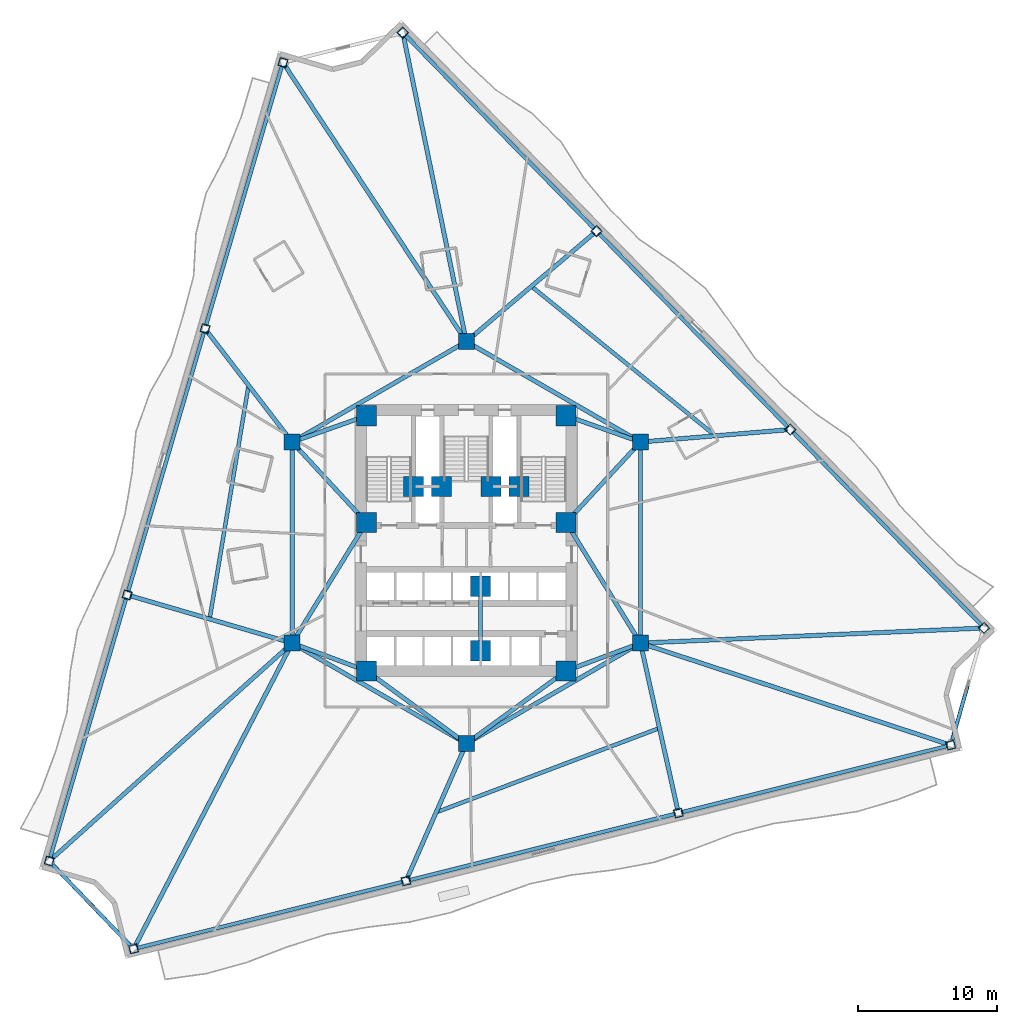
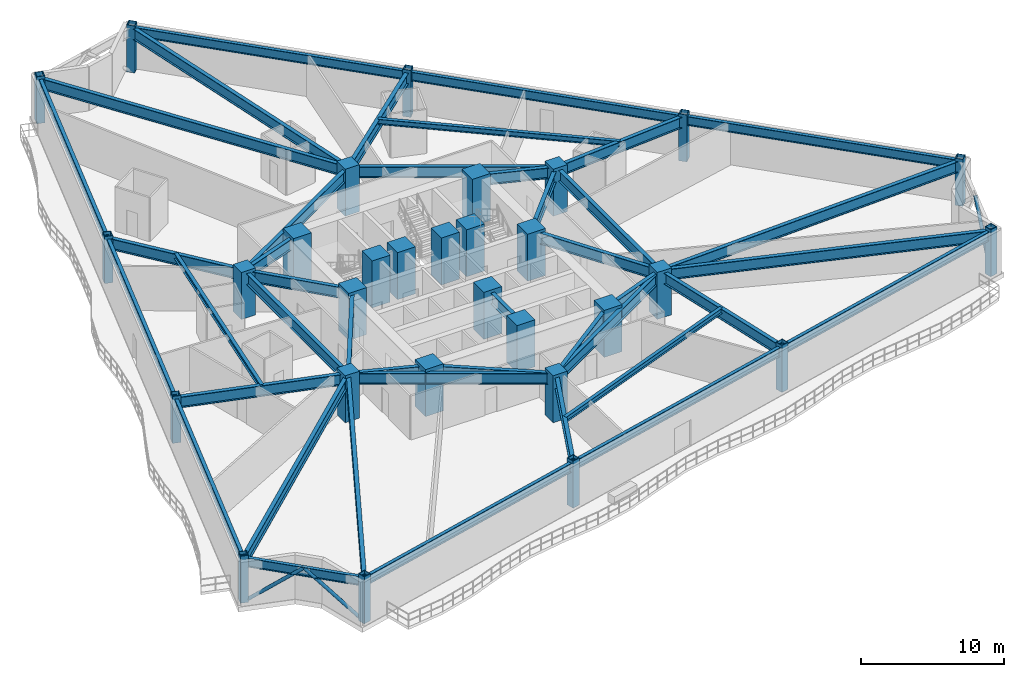
# One storey, part 1 of 13: 42 beams, 30 columns, 3 members.
"""IFC4 building model written with IfcOpenShell, lengths in metres."""

from ifc_helpers import new_model, si_unit, direction, frame, origin, origin_2d, place, context, subcontext, project, spatial, rectangle, hollow_rectangle, hollow_circle, i_section, extrude, material, material_profile, profile_set, type_object, element, save


model = new_model("IFC4")

# Units and contexts
model_context = context("Model", 3, precision=1e-05, world=origin(), true_north=direction((0.0, 1.0)))
body_context = subcontext(model_context, "Body", "Model", "MODEL_VIEW")
ifc_project = project(units=[si_unit("LENGTHUNIT", "METRE"), si_unit("AREAUNIT", "SQUARE_METRE"), si_unit("VOLUMEUNIT", "CUBIC_METRE"), si_unit("PLANEANGLEUNIT", "RADIAN"), si_unit("MASSUNIT", "GRAM", prefix="KILO")], contexts=[model_context])

# Site, building, storey
site_placement = place(None, origin())
site = spatial("IfcSite", under=ifc_project, at=site_placement, CompositionType="ELEMENT")
building_placement = place(site_placement, origin())
building = spatial("IfcBuilding", under=site, at=building_placement, Name="Apsidion Concourse Tower", CompositionType="ELEMENT")
storey_placement = place(building_placement, frame((0.0, 0.0, 95.0)))
storey = spatial("IfcBuildingStorey", under=building, at=storey_placement, Name="L21", CompositionType="ELEMENT", Elevation=95.0)

# Columns
ifc_material_1 = material(Name="Structural steel ASTM A572 Grade 50", Category="steel")
ifc_material_profile_1 = material_profile(ifc_material_1, hollow_rectangle(XDim=0.60009765625, YDim=0.60009765625, WallThickness=0.0400390625, at=origin_2d()), Name="BOX600X600X40")
ifc_profile_set_1 = profile_set([ifc_material_profile_1], Name="Structural steel ASTM A572 Grade 50")
column_type_1 = type_object("IfcColumnType", Name="COL-BOX-600", PredefinedType="COLUMN", material=ifc_profile_set_1)
for number, where, z_axis, x_axis, name in (
    (1, (-13.221435546875, 34.61669921875, 0.0), (0.0, 0.0, 1.0), (0.28083422227, 0.959756291775, 0.0), "L21 Rotated Perimeter Column PC01"),
    (2, (-18.839111328125, 15.422119140625, 0.0), (0.0, 0.0, 1.0), (0.28083422227, 0.959756291775, 0.0), "L21 Rotated Perimeter Column PC02"),
    (3, (-24.45703125, -3.772705078125, 0.0), (0.0, 0.0, 1.0), (0.28083422227, 0.959756291775, 0.0), "L21 Rotated Perimeter Column PC03"),
    (4, (-30.074951171875, -22.96728515625, 0.0), (0.0, 0.0, 1.0), (0.28083422227, 0.959756291775, 0.0), "L21 Rotated Perimeter Column PC04"),
    (5, (-23.9912109375, -29.302001953125, 0.0), (0.0, 0.0, 1.0), (0.970295726276, 0.2419218956, 0.0), "L21 Rotated Perimeter Column PC05"),
    (6, (-4.34765625, -24.404296875, 0.0), (0.0, 0.0, 1.0), (0.970295726276, 0.2419218956, 0.0), "L21 Rotated Perimeter Column PC06"),
    (7, (15.2958984375, -19.506591796875, 0.0), (0.0, 0.0, 1.0), (0.970295726276, 0.2419218956, 0.0), "L21 Rotated Perimeter Column PC07"),
    (8, (34.939208984375, -14.60888671875, 0.0), (0.0, 0.0, 1.0), (0.970295726276, 0.2419218956, 0.0), "L21 Rotated Perimeter Column PC08"),
    (9, (37.337158203125, -6.15966796875, 0.0), (0.0, 0.0, 1.0), (-0.698540186739, 0.715570826341, 0.0), "L21 Rotated Perimeter Column PC09"),
    (10, (23.365478515625, 8.15087890625, 0.0), (0.0, 0.0, 1.0), (-0.698540186739, 0.715570826341, 0.0), "L21 Rotated Perimeter Column PC10"),
    (11, (9.393798828125, 22.461181640625, 0.0), (0.0, 0.0, 1.0), (-0.698540186739, 0.715570826341, 0.0), "L21 Rotated Perimeter Column PC11"),
    (12, (-4.57763671875, 36.771728515625, 0.0), (0.0, 0.0, 1.0), (-0.698540186739, 0.715570826341, 0.0), "L21 Rotated Perimeter Column PC12"),
):
    element("IfcColumn", number, at=place(storey_placement, frame(where, z_axis=z_axis, x_axis=x_axis)), inside=storey, type_object=column_type_1, Name=name, PredefinedType="COLUMN", context=body_context, shape_type="SweptSolid", body=[
        extrude(hollow_rectangle(XDim=0.60009765625, YDim=0.60009765625, WallThickness=0.0400390625, at=origin_2d()), origin(), (0.0, 0.0, 1.0), 4.0),
    ])
ifc_material_2 = material(Name="Concrete C50/60", Category="concrete")
ifc_material_profile_2 = material_profile(ifc_material_2, rectangle(XDim=1.14990234375, YDim=1.14990234375, at=origin_2d()), Name="RC 1150x1150")
ifc_profile_set_2 = profile_set([ifc_material_profile_2], Name="Concrete C50/60")
column_type_2 = type_object("IfcColumnType", Name="COL-RC-1150", PredefinedType="COLUMN", material=ifc_profile_set_2)
for number, where, z_axis, x_axis, name in (
    (13, (-12.56005859375, -7.25, 0.0), (0.0, 0.0, 1.0), (1.0, 0.0, 0.0), "L21 Interior Spine Column IC1"),
    (14, (12.56005859375, -7.25, 0.0), (0.0, 0.0, 1.0), (1.0, 0.0, 0.0), "L21 Interior Spine Column IC2"),
    (15, (12.56005859375, 7.25, 0.0), (0.0, 0.0, 1.0), (1.0, 0.0, 0.0), "L21 Interior Spine Column IC3"),
    (16, (0.0, 14.5, 0.0), (0.0, 0.0, 1.0), (1.0, 0.0, 0.0), "L21 Interior Spine Column IC4"),
    (17, (-12.56005859375, 7.25, 0.0), (0.0, 0.0, 1.0), (1.0, 0.0, 0.0), "L21 Interior Spine Column IC5"),
    (18, (0.0, -14.5, 0.0), (0.0, 0.0, 1.0), (1.0, 0.0, 0.0), "L21 Interior Spine Column IC6"),
):
    element("IfcColumn", number, at=place(storey_placement, frame(where, z_axis=z_axis, x_axis=x_axis)), inside=storey, type_object=column_type_2, Name=name, PredefinedType="COLUMN", context=body_context, shape_type="SweptSolid", body=[
        extrude(rectangle(XDim=1.14990234375, YDim=1.14990234375, at=origin_2d()), origin(), (0.0, 0.0, 1.0), 4.0),
    ])
ifc_material_3 = material(Name="Concrete C60/75", Category="concrete")
ifc_material_profile_3 = material_profile(ifc_material_3, rectangle(XDim=1.449951171875, YDim=1.449951171875, at=origin_2d()), Name="RC 1450x1450")
ifc_profile_set_3 = profile_set([ifc_material_profile_3], Name="Concrete C60/75")
column_type_3 = type_object("IfcColumnType", Name="COL-RC-1450", PredefinedType="COLUMN", material=ifc_profile_set_3)
for number, where, z_axis, x_axis, name in (
    (19, (-7.199951171875, -9.25, 0.0), (0.0, 0.0, 1.0), (1.0, 0.0, 0.0), "L21 Core Super-Column SC1"),
    (20, (7.199951171875, -9.25, 0.0), (0.0, 0.0, 1.0), (1.0, 0.0, 0.0), "L21 Core Super-Column SC2"),
    (21, (7.199951171875, 1.449951171875, 0.0), (0.0, 0.0, 1.0), (1.0, 0.0, 0.0), "L21 Core Super-Column SC3"),
    (22, (7.199951171875, 9.14990234375, 0.0), (0.0, 0.0, 1.0), (1.0, 0.0, 0.0), "L21 Core Super-Column SC4"),
    (23, (-7.199951171875, 9.14990234375, 0.0), (0.0, 0.0, 1.0), (1.0, 0.0, 0.0), "L21 Core Super-Column SC5"),
    (24, (-7.199951171875, 1.449951171875, 0.0), (0.0, 0.0, 1.0), (1.0, 0.0, 0.0), "L21 Core Super-Column SC6"),
    (25, (-3.800048828125, 4.050048828125, 0.0), (0.0, 0.0, 1.0), (1.0, 0.0, 0.0), "L21 Core Super-Column CC1"),
    (26, (3.800048828125, 4.050048828125, 0.0), (0.0, 0.0, 1.0), (1.0, 0.0, 0.0), "L21 Core Super-Column CC2"),
    (27, (-1.77490234375, 4.050048828125, 0.0), (0.0, 0.0, 1.0), (1.0, 0.0, 0.0), "L21 Core Super-Column CC3"),
    (28, (1.77490234375, 4.050048828125, 0.0), (0.0, 0.0, 1.0), (1.0, 0.0, 0.0), "L21 Core Super-Column CC4"),
    (29, (1.02490234375, -3.14990234375, 0.0), (0.0, 0.0, 1.0), (1.0, 0.0, 0.0), "L21 Core Super-Column CC5"),
    (30, (1.02490234375, -7.800048828125, 0.0), (0.0, 0.0, 1.0), (1.0, 0.0, 0.0), "L21 Core Super-Column CC6"),
):
    element("IfcColumn", number, at=place(storey_placement, frame(where, z_axis=z_axis, x_axis=x_axis)), inside=storey, type_object=column_type_3, Name=name, PredefinedType="COLUMN", context=body_context, shape_type="SweptSolid", body=[
        extrude(rectangle(XDim=1.449951171875, YDim=1.449951171875, at=origin_2d()), origin(), (0.0, 0.0, 1.0), 4.0),
    ])

# Beams
ifc_material_4 = material(Name="Structural steel ASTM A992 Grade 50", Category="steel")
ifc_material_profile_4 = material_profile(ifc_material_4, i_section(OverallWidth=0.280029296875, OverallDepth=0.462890625, WebThickness=0.0107421875, FlangeThickness=0.017333984375, at=origin_2d()), Name="W18X76")
ifc_profile_set_4 = profile_set([ifc_material_profile_4], Name="Structural steel ASTM A992 Grade 50")
beam_type_1 = type_object("IfcBeamType", Name="BM-FL-W18M", PredefinedType="BEAM", material=ifc_profile_set_4)
beam_1_placement = place(storey_placement, frame((-15.69970703125, 11.3359375, 3.5185546875), z_axis=(-0.164452299767, -0.986385036941, 0.0), x_axis=(0.986385036941, -0.164452299767, 0.0)))
element("IfcBeam", 31, at=beam_1_placement, inside=storey, type_object=beam_type_1, Name="L21 Secondary Floor Beam SEC-F1", PredefinedType="BEAM", context=body_context, shape_type="SweptSolid", body=[
    extrude(i_section(OverallWidth=0.280029296875, OverallDepth=0.462890625, WebThickness=0.0107421875, FlangeThickness=0.017333984375, at=origin_2d()), origin(), (0.0, 0.0, 1.0), 17.079833984375),
])
beam_2_placement = place(storey_placement, frame((-2.173828125, -19.4521484375, 3.5185546875), z_axis=(0.935648218448, 0.352934004193, 0.0), x_axis=(-0.352934004193, 0.935648218448, 0.0)))
element("IfcBeam", 32, at=beam_2_placement, inside=storey, type_object=beam_type_1, Name="L21 Secondary Floor Beam SEC-F2", PredefinedType="BEAM", context=body_context, shape_type="SweptSolid", body=[
    extrude(i_section(OverallWidth=0.280029296875, OverallDepth=0.462890625, WebThickness=0.0107421875, FlangeThickness=0.017333984375, at=origin_2d()), origin(), (0.0, 0.0, 1.0), 17.209228515625),
])
beam_3_placement = place(storey_placement, frame((17.962646484375, 7.700439453125, 3.5185546875), z_axis=(-0.776058076577, 0.630661447831, 0.0), x_axis=(-0.630661447831, -0.776058076577, 0.0)))
element("IfcBeam", 33, at=beam_3_placement, inside=storey, type_object=beam_type_1, Name="L21 Secondary Floor Beam SEC-F3", PredefinedType="BEAM", context=body_context, shape_type="SweptSolid", body=[
    extrude(i_section(OverallWidth=0.280029296875, OverallDepth=0.462890625, WebThickness=0.0107421875, FlangeThickness=0.017333984375, at=origin_2d()), origin(), (0.0, 0.0, 1.0), 17.093505859375),
])
ifc_material_profile_5 = material_profile(ifc_material_4, i_section(OverallWidth=0.31005859375, OverallDepth=0.931884765625, WebThickness=0.02099609375, FlangeThickness=0.034423828125, at=origin_2d()), Name="W36X210")
ifc_profile_set_5 = profile_set([ifc_material_profile_5], Name="Structural steel ASTM A992 Grade 50")
beam_type_2 = type_object("IfcBeamType", Name="BM-G-W36", PredefinedType="USERDEFINED", material=ifc_profile_set_5)
beam_4_placement = place(storey_placement, frame((-12.185302734375, -7.389892578125, 3.283935546875), z_axis=(0.936913021145, -0.349562570664, 0.0), x_axis=(0.349562570664, 0.936913021145, 0.0)))
element("IfcBeam", 34, at=beam_4_placement, inside=storey, type_object=beam_type_2, Name="L21 Core Coupling Girder IC1-SC1", ObjectType="GIRDER", PredefinedType="USERDEFINED", context=body_context, shape_type="SweptSolid", body=[
    extrude(i_section(OverallWidth=0.31005859375, OverallDepth=0.931884765625, WebThickness=0.02099609375, FlangeThickness=0.034423828125, at=origin_2d()), origin(), (0.0, 0.0, 1.0), 4.921142578125),
])
beam_5_placement = place(storey_placement, frame((-12.35009765625, -6.909423828125, 3.283935546875), z_axis=(0.524524009763, 0.851395656074, 0.0), x_axis=(-0.851395656074, 0.524524009763, 0.0)))
element("IfcBeam", 35, at=beam_5_placement, inside=storey, type_object=beam_type_2, Name="L21 Core Coupling Girder IC1-SC6", ObjectType="GIRDER", PredefinedType="USERDEFINED", context=body_context, shape_type="SweptSolid", body=[
    extrude(i_section(OverallWidth=0.31005859375, OverallDepth=0.931884765625, WebThickness=0.02099609375, FlangeThickness=0.034423828125, at=origin_2d()), origin(), (0.0, 0.0, 1.0), 9.41845703125),
])
beam_6_placement = place(storey_placement, frame((12.185302734375, -7.389892578125, 3.283935546875), z_axis=(-0.936913021145, -0.349562570664, 0.0), x_axis=(0.349562570664, -0.936913021145, 0.0)))
element("IfcBeam", 36, at=beam_6_placement, inside=storey, type_object=beam_type_2, Name="L21 Core Coupling Girder IC2-SC2", ObjectType="GIRDER", PredefinedType="USERDEFINED", context=body_context, shape_type="SweptSolid", body=[
    extrude(i_section(OverallWidth=0.31005859375, OverallDepth=0.931884765625, WebThickness=0.02099609375, FlangeThickness=0.034423828125, at=origin_2d()), origin(), (0.0, 0.0, 1.0), 4.921142578125),
])
beam_7_placement = place(storey_placement, frame((12.35009765625, -6.909423828125, 3.283935546875), z_axis=(-0.524524009763, 0.851395656074, 0.0), x_axis=(-0.851395656074, -0.524524009763, 0.0)))
element("IfcBeam", 37, at=beam_7_placement, inside=storey, type_object=beam_type_2, Name="L21 Core Coupling Girder IC2-SC3", ObjectType="GIRDER", PredefinedType="USERDEFINED", context=body_context, shape_type="SweptSolid", body=[
    extrude(i_section(OverallWidth=0.31005859375, OverallDepth=0.931884765625, WebThickness=0.02099609375, FlangeThickness=0.034423828125, at=origin_2d()), origin(), (0.0, 0.0, 1.0), 9.41845703125),
])
beam_8_placement = place(storey_placement, frame((12.28857421875, 6.956298828125, 3.283935546875), z_axis=(-0.678712876106, -0.73440372535, 0.0), x_axis=(0.73440372535, -0.678712876106, 0.0)))
element("IfcBeam", 38, at=beam_8_placement, inside=storey, type_object=beam_type_2, Name="L21 Core Coupling Girder IC3-SC3", ObjectType="GIRDER", PredefinedType="USERDEFINED", context=body_context, shape_type="SweptSolid", body=[
    extrude(i_section(OverallWidth=0.31005859375, OverallDepth=0.931884765625, WebThickness=0.02099609375, FlangeThickness=0.034423828125, at=origin_2d()), origin(), (0.0, 0.0, 1.0), 7.097412109375),
])
beam_9_placement = place(storey_placement, frame((12.18310546875, 7.383544921875, 3.283935546875), z_axis=(-0.942533844539, 0.334110688094, 0.0), x_axis=(-0.334110688094, -0.942533844539, 0.0)))
element("IfcBeam", 39, at=beam_9_placement, inside=storey, type_object=beam_type_2, Name="L21 Core Coupling Girder IC3-SC4", ObjectType="GIRDER", PredefinedType="USERDEFINED", context=body_context, shape_type="SweptSolid", body=[
    extrude(i_section(OverallWidth=0.31005859375, OverallDepth=0.931884765625, WebThickness=0.02099609375, FlangeThickness=0.034423828125, at=origin_2d()), origin(), (0.0, 0.0, 1.0), 4.886962890625),
])
beam_10_placement = place(storey_placement, frame((-12.28857421875, 6.956298828125, 3.283935546875), z_axis=(0.678712876106, -0.73440372535, 0.0), x_axis=(0.73440372535, 0.678712876106, 0.0)))
element("IfcBeam", 40, at=beam_10_placement, inside=storey, type_object=beam_type_2, Name="L21 Core Coupling Girder IC5-SC6", ObjectType="GIRDER", PredefinedType="USERDEFINED", context=body_context, shape_type="SweptSolid", body=[
    extrude(i_section(OverallWidth=0.31005859375, OverallDepth=0.931884765625, WebThickness=0.02099609375, FlangeThickness=0.034423828125, at=origin_2d()), origin(), (0.0, 0.0, 1.0), 7.097412109375),
])
beam_11_placement = place(storey_placement, frame((-12.18310546875, 7.383544921875, 3.283935546875), z_axis=(0.942533844539, 0.334110688094, 0.0), x_axis=(-0.334110688094, 0.942533844539, 0.0)))
element("IfcBeam", 41, at=beam_11_placement, inside=storey, type_object=beam_type_2, Name="L21 Core Coupling Girder IC5-SC5", ObjectType="GIRDER", PredefinedType="USERDEFINED", context=body_context, shape_type="SweptSolid", body=[
    extrude(i_section(OverallWidth=0.31005859375, OverallDepth=0.931884765625, WebThickness=0.02099609375, FlangeThickness=0.034423828125, at=origin_2d()), origin(), (0.0, 0.0, 1.0), 4.886962890625),
])
for number, where, z_axis, x_axis, name in (
    (42, (-0.3232421875, -14.264404296875, 3.283935546875), (-0.807993498909, 0.589191399905, 0.0), (-0.589191399905, -0.807993498909, 0.0), "L21 Core Coupling Girder IC6-SC1"),
    (43, (0.3232421875, -14.264404296875, 3.283935546875), (0.807993498909, 0.589191399905, 0.0), (-0.589191399905, 0.807993498909, 0.0), "L21 Core Coupling Girder IC6-SC2"),
):
    element("IfcBeam", number, at=place(storey_placement, frame(where, z_axis=z_axis, x_axis=x_axis)), inside=storey, type_object=beam_type_2, Name=name, ObjectType="GIRDER", PredefinedType="USERDEFINED", context=body_context, shape_type="SweptSolid", body=[
        extrude(i_section(OverallWidth=0.31005859375, OverallDepth=0.931884765625, WebThickness=0.02099609375, FlangeThickness=0.034423828125, at=origin_2d()), origin(), (0.0, 0.0, 1.0), 8.11083984375),
    ])
beam_12_placement = place(storey_placement, frame((-12.56005859375, -6.85009765625, 3.283935546875), z_axis=(0.0, 1.0, 0.0), x_axis=(-1.0, 0.0, 0.0)))
element("IfcBeam", 44, at=beam_12_placement, inside=storey, type_object=beam_type_2, Name="L21 Core Coupling Girder IC1-IC5", ObjectType="GIRDER", PredefinedType="USERDEFINED", context=body_context, shape_type="SweptSolid", body=[
    extrude(i_section(OverallWidth=0.31005859375, OverallDepth=0.931884765625, WebThickness=0.02099609375, FlangeThickness=0.034423828125, at=origin_2d()), origin(), (0.0, 0.0, 1.0), 13.7001953125),
])
for number, where, z_axis, x_axis, name in (
    (45, (-12.213623046875, 7.449951171875, 3.283935546875), (0.866070471464, 0.499921932364, 0.0), (-0.499921932364, 0.866070471464, 0.0), "L21 Core Coupling Girder IC5-IC4"),
    (46, (0.346435546875, 14.300048828125, 3.283935546875), (0.866070471464, -0.499921932364, 0.0), (0.499921932364, 0.866070471464, 0.0), "L21 Core Coupling Girder IC4-IC3"),
):
    element("IfcBeam", number, at=place(storey_placement, frame(where, z_axis=z_axis, x_axis=x_axis)), inside=storey, type_object=beam_type_2, Name=name, ObjectType="GIRDER", PredefinedType="USERDEFINED", context=body_context, shape_type="SweptSolid", body=[
        extrude(i_section(OverallWidth=0.31005859375, OverallDepth=0.931884765625, WebThickness=0.02099609375, FlangeThickness=0.034423828125, at=origin_2d()), origin(), (0.0, 0.0, 1.0), 13.702392578125),
    ])
beam_13_placement = place(storey_placement, frame((12.56005859375, 6.85009765625, 3.283935546875), z_axis=(0.0, -1.0, 0.0), x_axis=(1.0, 0.0, 0.0)))
element("IfcBeam", 47, at=beam_13_placement, inside=storey, type_object=beam_type_2, Name="L21 Core Coupling Girder IC3-IC2", ObjectType="GIRDER", PredefinedType="USERDEFINED", context=body_context, shape_type="SweptSolid", body=[
    extrude(i_section(OverallWidth=0.31005859375, OverallDepth=0.931884765625, WebThickness=0.02099609375, FlangeThickness=0.034423828125, at=origin_2d()), origin(), (0.0, 0.0, 1.0), 13.7001953125),
])
for number, where, z_axis, x_axis, name in (
    (48, (12.213623046875, -7.449951171875, 3.283935546875), (-0.866070471464, -0.499921932364, 0.0), (0.499921932364, -0.866070471464, 0.0), "L21 Core Coupling Girder IC2-IC6"),
    (49, (-0.346435546875, -14.300048828125, 3.283935546875), (-0.866070471464, 0.499921932364, 0.0), (-0.499921932364, -0.866070471464, 0.0), "L21 Core Coupling Girder IC6-IC1"),
):
    element("IfcBeam", number, at=place(storey_placement, frame(where, z_axis=z_axis, x_axis=x_axis)), inside=storey, type_object=beam_type_2, Name=name, ObjectType="GIRDER", PredefinedType="USERDEFINED", context=body_context, shape_type="SweptSolid", body=[
        extrude(i_section(OverallWidth=0.31005859375, OverallDepth=0.931884765625, WebThickness=0.02099609375, FlangeThickness=0.034423828125, at=origin_2d()), origin(), (0.0, 0.0, 1.0), 13.702392578125),
    ])
beam_14_placement = place(storey_placement, frame((1.02490234375, -3.550048828125, 3.283935546875), z_axis=(0.0, -1.0, 0.0), x_axis=(1.0, 0.0, 0.0)))
element("IfcBeam", 50, at=beam_14_placement, inside=storey, type_object=beam_type_2, Name="L21 Core Coupling Girder CC5-CC6", ObjectType="GIRDER", PredefinedType="USERDEFINED", context=body_context, shape_type="SweptSolid", body=[
    extrude(i_section(OverallWidth=0.31005859375, OverallDepth=0.931884765625, WebThickness=0.02099609375, FlangeThickness=0.034423828125, at=origin_2d()), origin(), (0.0, 0.0, 1.0), 3.849853515625),
])
beam_15_placement = place(storey_placement, frame((-0.120849609375, 14.683837890625, 3.283935546875), z_axis=(-0.549231276492, 0.835670392513, 0.0), x_axis=(-0.835670392513, -0.549231276492, 0.0)))
element("IfcBeam", 51, at=beam_15_placement, inside=storey, type_object=beam_type_2, Name="L21 Radial Floor Girder RAD-01", ObjectType="GIRDER", PredefinedType="USERDEFINED", context=body_context, shape_type="SweptSolid", body=[
    extrude(i_section(OverallWidth=0.31005859375, OverallDepth=0.931884765625, WebThickness=0.02099609375, FlangeThickness=0.034423828125, at=origin_2d()), origin(), (0.0, 0.0, 1.0), 23.632568359375),
])
beam_16_placement = place(storey_placement, frame((-12.694091796875, 7.42431640625, 3.283935546875), z_axis=(-0.609271770486, 0.792961480583, 0.0), x_axis=(-0.792961480583, -0.609271770486, 0.0)))
element("IfcBeam", 52, at=beam_16_placement, inside=storey, type_object=beam_type_2, Name="L21 Radial Floor Girder RAD-02", ObjectType="GIRDER", PredefinedType="USERDEFINED", context=body_context, shape_type="SweptSolid", body=[
    extrude(i_section(OverallWidth=0.31005859375, OverallDepth=0.931884765625, WebThickness=0.02099609375, FlangeThickness=0.034423828125, at=origin_2d()), origin(), (0.0, 0.0, 1.0), 9.865966796875),
])
beam_17_placement = place(storey_placement, frame((-12.771240234375, -7.188232421875, 3.283935546875), z_axis=(-0.959842483231, 0.28053949345, 0.0), x_axis=(-0.28053949345, -0.959842483231, 0.0)))
element("IfcBeam", 53, at=beam_17_placement, inside=storey, type_object=beam_type_2, Name="L21 Radial Floor Girder RAD-03", ObjectType="GIRDER", PredefinedType="USERDEFINED", context=body_context, shape_type="SweptSolid", body=[
    extrude(i_section(OverallWidth=0.31005859375, OverallDepth=0.931884765625, WebThickness=0.02099609375, FlangeThickness=0.034423828125, at=origin_2d()), origin(), (0.0, 0.0, 1.0), 11.95458984375),
])
beam_18_placement = place(storey_placement, frame((-12.7236328125, -7.39697265625, 3.283935546875), z_axis=(-0.744271119318, -0.667877609259, 0.0), x_axis=(0.667877609259, -0.744271119318, 0.0)))
element("IfcBeam", 54, at=beam_18_placement, inside=storey, type_object=beam_type_2, Name="L21 Radial Floor Girder RAD-04", ObjectType="GIRDER", PredefinedType="USERDEFINED", context=body_context, shape_type="SweptSolid", body=[
    extrude(i_section(OverallWidth=0.31005859375, OverallDepth=0.931884765625, WebThickness=0.02099609375, FlangeThickness=0.034423828125, at=origin_2d()), origin(), (0.0, 0.0, 1.0), 23.093017578125),
])
beam_19_placement = place(storey_placement, frame((-12.6611328125, -7.4453125, 3.283935546875), z_axis=(-0.460218148247, -0.88780586618, 0.0), x_axis=(0.88780586618, -0.460218148247, 0.0)))
element("IfcBeam", 55, at=beam_19_placement, inside=storey, type_object=beam_type_2, Name="L21 Radial Floor Girder RAD-05", ObjectType="GIRDER", PredefinedType="USERDEFINED", context=body_context, shape_type="SweptSolid", body=[
    extrude(i_section(OverallWidth=0.31005859375, OverallDepth=0.931884765625, WebThickness=0.02099609375, FlangeThickness=0.034423828125, at=origin_2d()), origin(), (0.0, 0.0, 1.0), 24.398681640625),
])
beam_20_placement = place(storey_placement, frame((-0.08837890625, -14.701416015625, 3.283935546875), z_axis=(-0.401951572059, -0.915660927265, 0.0), x_axis=(0.915660927265, -0.401951572059, 0.0)))
element("IfcBeam", 56, at=beam_20_placement, inside=storey, type_object=beam_type_2, Name="L21 Radial Floor Girder RAD-06", ObjectType="GIRDER", PredefinedType="USERDEFINED", context=body_context, shape_type="SweptSolid", body=[
    extrude(i_section(OverallWidth=0.31005859375, OverallDepth=0.931884765625, WebThickness=0.02099609375, FlangeThickness=0.034423828125, at=origin_2d()), origin(), (0.0, 0.0, 1.0), 10.376708984375),
])
beam_21_placement = place(storey_placement, frame((12.60791015625, -7.464599609375, 3.283935546875), z_axis=(0.217841210103, -0.975984224863, 0.0), x_axis=(0.975984224863, 0.217841210103, 0.0)))
element("IfcBeam", 57, at=beam_21_placement, inside=storey, type_object=beam_type_2, Name="L21 Radial Floor Girder RAD-07", ObjectType="GIRDER", PredefinedType="USERDEFINED", context=body_context, shape_type="SweptSolid", body=[
    extrude(i_section(OverallWidth=0.31005859375, OverallDepth=0.931884765625, WebThickness=0.02099609375, FlangeThickness=0.034423828125, at=origin_2d()), origin(), (0.0, 0.0, 1.0), 12.118408203125),
])
beam_22_placement = place(storey_placement, frame((12.76904296875, -7.318603515625, 3.283935546875), z_axis=(0.949956513511, -0.312382173687, 0.0), x_axis=(0.312382173687, 0.949956513511, 0.0)))
element("IfcBeam", 58, at=beam_22_placement, inside=storey, type_object=beam_type_2, Name="L21 Radial Floor Girder RAD-08", ObjectType="GIRDER", PredefinedType="USERDEFINED", context=body_context, shape_type="SweptSolid", body=[
    extrude(i_section(OverallWidth=0.31005859375, OverallDepth=0.931884765625, WebThickness=0.02099609375, FlangeThickness=0.034423828125, at=origin_2d()), origin(), (0.0, 0.0, 1.0), 23.1181640625),
])
beam_23_placement = place(storey_placement, frame((12.77978515625, -7.240234375, 3.283935546875), z_axis=(0.999033044111, 0.043965631729, 0.0), x_axis=(-0.043965631729, 0.999033044111, 0.0)))
element("IfcBeam", 59, at=beam_23_placement, inside=storey, type_object=beam_type_2, Name="L21 Radial Floor Girder RAD-09", ObjectType="GIRDER", PredefinedType="USERDEFINED", context=body_context, shape_type="SweptSolid", body=[
    extrude(i_section(OverallWidth=0.31005859375, OverallDepth=0.931884765625, WebThickness=0.02099609375, FlangeThickness=0.034423828125, at=origin_2d()), origin(), (0.0, 0.0, 1.0), 24.36083984375),
])
beam_24_placement = place(storey_placement, frame((12.779296875, 7.268310546875, 3.283935546875), z_axis=(0.996543006218, 0.083078497563, 0.0), x_axis=(-0.083078497563, 0.996543006218, 0.0)))
element("IfcBeam", 60, at=beam_24_placement, inside=storey, type_object=beam_type_2, Name="L21 Radial Floor Girder RAD-10", ObjectType="GIRDER", PredefinedType="USERDEFINED", context=body_context, shape_type="SweptSolid", body=[
    extrude(i_section(OverallWidth=0.31005859375, OverallDepth=0.931884765625, WebThickness=0.02099609375, FlangeThickness=0.034423828125, at=origin_2d()), origin(), (0.0, 0.0, 1.0), 10.40283203125),
])
beam_25_placement = place(storey_placement, frame((0.167724609375, 14.64208984375, 3.283935546875), z_axis=(0.762877552184, 0.646542991899, 0.0), x_axis=(-0.646542991899, 0.762877552184, 0.0)))
element("IfcBeam", 61, at=beam_25_placement, inside=storey, type_object=beam_type_2, Name="L21 Radial Floor Girder RAD-11", ObjectType="GIRDER", PredefinedType="USERDEFINED", context=body_context, shape_type="SweptSolid", body=[
    extrude(i_section(OverallWidth=0.31005859375, OverallDepth=0.931884765625, WebThickness=0.02099609375, FlangeThickness=0.034423828125, at=origin_2d()), origin(), (0.0, 0.0, 1.0), 11.8740234375),
])
beam_26_placement = place(storey_placement, frame((-0.044189453125, 14.715576171875, 3.283935546875), z_axis=(-0.201337476768, 0.979521934644, 0.0), x_axis=(-0.979521934644, -0.201337476768, 0.0)))
element("IfcBeam", 62, at=beam_26_placement, inside=storey, type_object=beam_type_2, Name="L21 Radial Floor Girder RAD-12", ObjectType="GIRDER", PredefinedType="USERDEFINED", context=body_context, shape_type="SweptSolid", body=[
    extrude(i_section(OverallWidth=0.31005859375, OverallDepth=0.931884765625, WebThickness=0.02099609375, FlangeThickness=0.034423828125, at=origin_2d()), origin(), (0.0, 0.0, 1.0), 22.297119140625),
])
ifc_material_profile_6 = material_profile(ifc_material_4, i_section(OverallWidth=0.26806640625, OverallDepth=0.77001953125, WebThickness=0.015625, FlangeThickness=0.025390625, at=origin_2d()), Name="W30X132")
ifc_profile_set_6 = profile_set([ifc_material_profile_6], Name="Structural steel ASTM A992 Grade 50")
beam_type_3 = type_object("IfcBeamType", Name="BM-SP-W30", PredefinedType="SPANDREL", material=ifc_profile_set_6)
beam_27_placement = place(storey_placement, frame((-13.283203125, 34.405517578125, 3.364990234375), z_axis=(-0.280887536845, -0.959740689793, 0.0), x_axis=(0.959740689793, -0.280887536845, 0.0)))
element("IfcBeam", 63, at=beam_27_placement, inside=storey, type_object=beam_type_3, Name="L21 Perimeter Spandrel Girder SP-01", PredefinedType="SPANDREL", context=body_context, shape_type="SweptSolid", body=[
    extrude(i_section(OverallWidth=0.26806640625, OverallDepth=0.77001953125, WebThickness=0.015625, FlangeThickness=0.025390625, at=origin_2d()), origin(), (0.0, 0.0, 1.0), 19.559814453125),
])
beam_28_placement = place(storey_placement, frame((-18.90087890625, 15.2109375, 3.364990234375), z_axis=(-0.28089903368, -0.959737324937, 0.0), x_axis=(0.959737324937, -0.28089903368, 0.0)))
element("IfcBeam", 64, at=beam_28_placement, inside=storey, type_object=beam_type_3, Name="L21 Perimeter Spandrel Girder SP-02", PredefinedType="SPANDREL", context=body_context, shape_type="SweptSolid", body=[
    extrude(i_section(OverallWidth=0.26806640625, OverallDepth=0.77001953125, WebThickness=0.015625, FlangeThickness=0.025390625, at=origin_2d()), origin(), (0.0, 0.0, 1.0), 19.56005859375),
])
beam_29_placement = place(storey_placement, frame((-24.518798828125, -3.98388671875, 3.364990234375), z_axis=(-0.280902398632, -0.959736340066, 0.0), x_axis=(0.959736340066, -0.280902398632, 0.0)))
element("IfcBeam", 65, at=beam_29_placement, inside=storey, type_object=beam_type_3, Name="L21 Perimeter Spandrel Girder SP-03", PredefinedType="SPANDREL", context=body_context, shape_type="SweptSolid", body=[
    extrude(i_section(OverallWidth=0.26806640625, OverallDepth=0.77001953125, WebThickness=0.015625, FlangeThickness=0.025390625, at=origin_2d()), origin(), (0.0, 0.0, 1.0), 19.559814453125),
])
beam_30_placement = place(storey_placement, frame((-29.922607421875, -23.1259765625, 3.364990234375), z_axis=(0.692682269789, -0.721242866946, 0.0), x_axis=(0.721242866946, 0.692682269789, 0.0)))
element("IfcBeam", 66, at=beam_30_placement, inside=storey, type_object=beam_type_3, Name="L21 Perimeter Spandrel Girder SP-04", PredefinedType="SPANDREL", context=body_context, shape_type="SweptSolid", body=[
    extrude(i_section(OverallWidth=0.26806640625, OverallDepth=0.77001953125, WebThickness=0.015625, FlangeThickness=0.025390625, at=origin_2d()), origin(), (0.0, 0.0, 1.0), 8.343017578125),
])
beam_31_placement = place(storey_placement, frame((-23.777587890625, -29.248779296875, 3.364990234375), z_axis=(0.970295310837, 0.24192356183, 0.0), x_axis=(-0.24192356183, 0.970295310837, 0.0)))
element("IfcBeam", 67, at=beam_31_placement, inside=storey, type_object=beam_type_3, Name="L21 Perimeter Spandrel Girder SP-05", PredefinedType="SPANDREL", context=body_context, shape_type="SweptSolid", body=[
    extrude(i_section(OverallWidth=0.26806640625, OverallDepth=0.77001953125, WebThickness=0.015625, FlangeThickness=0.025390625, at=origin_2d()), origin(), (0.0, 0.0, 1.0), 19.804931640625),
])
beam_32_placement = place(storey_placement, frame((-4.134033203125, -24.35107421875, 3.364990234375), z_axis=(0.970294589343, 0.241926455544, 0.0), x_axis=(-0.241926455544, 0.970294589343, 0.0)))
element("IfcBeam", 68, at=beam_32_placement, inside=storey, type_object=beam_type_3, Name="L21 Perimeter Spandrel Girder SP-06", PredefinedType="SPANDREL", context=body_context, shape_type="SweptSolid", body=[
    extrude(i_section(OverallWidth=0.26806640625, OverallDepth=0.77001953125, WebThickness=0.015625, FlangeThickness=0.025390625, at=origin_2d()), origin(), (0.0, 0.0, 1.0), 19.8046875),
])
beam_33_placement = place(storey_placement, frame((15.50927734375, -19.453369140625, 3.364990234375), z_axis=(0.970295310837, 0.24192356183, 0.0), x_axis=(-0.24192356183, 0.970295310837, 0.0)))
element("IfcBeam", 69, at=beam_33_placement, inside=storey, type_object=beam_type_3, Name="L21 Perimeter Spandrel Girder SP-07", PredefinedType="SPANDREL", context=body_context, shape_type="SweptSolid", body=[
    extrude(i_section(OverallWidth=0.26806640625, OverallDepth=0.77001953125, WebThickness=0.015625, FlangeThickness=0.025390625, at=origin_2d()), origin(), (0.0, 0.0, 1.0), 19.804931640625),
])
beam_34_placement = place(storey_placement, frame((37.183349609375, -6.002197265625, 3.364990234375), z_axis=(-0.698580853564, 0.715531125133, 0.0), x_axis=(-0.715531125133, -0.698580853564, 0.0)))
element("IfcBeam", 70, at=beam_34_placement, inside=storey, type_object=beam_type_3, Name="L21 Perimeter Spandrel Girder SP-09", PredefinedType="SPANDREL", context=body_context, shape_type="SweptSolid", body=[
    extrude(i_section(OverallWidth=0.26806640625, OverallDepth=0.77001953125, WebThickness=0.015625, FlangeThickness=0.025390625, at=origin_2d()), origin(), (0.0, 0.0, 1.0), 19.559814453125),
])
beam_35_placement = place(storey_placement, frame((23.2119140625, 8.30810546875, 3.364990234375), z_axis=(-0.698581004946, 0.715530977337, 0.0), x_axis=(-0.715530977337, -0.698581004946, 0.0)))
element("IfcBeam", 71, at=beam_35_placement, inside=storey, type_object=beam_type_3, Name="L21 Perimeter Spandrel Girder SP-10", PredefinedType="SPANDREL", context=body_context, shape_type="SweptSolid", body=[
    extrude(i_section(OverallWidth=0.26806640625, OverallDepth=0.77001953125, WebThickness=0.015625, FlangeThickness=0.025390625, at=origin_2d()), origin(), (0.0, 0.0, 1.0), 19.56005859375),
])
beam_36_placement = place(storey_placement, frame((9.240234375, 22.61865234375, 3.364990234375), z_axis=(-0.698587243968, 0.715524886056, 0.0), x_axis=(-0.715524886056, -0.698587243968, 0.0)))
element("IfcBeam", 72, at=beam_36_placement, inside=storey, type_object=beam_type_3, Name="L21 Perimeter Spandrel Girder SP-11", PredefinedType="SPANDREL", context=body_context, shape_type="SweptSolid", body=[
    extrude(i_section(OverallWidth=0.26806640625, OverallDepth=0.77001953125, WebThickness=0.015625, FlangeThickness=0.025390625, at=origin_2d()), origin(), (0.0, 0.0, 1.0), 19.559814453125),
])

# Members
ifc_material_5 = material(Name="Structural steel ASTM A500 Grade C", Category="steel")
ifc_material_profile_7 = material_profile(ifc_material_5, hollow_circle(Radius=0.136474609375, WallThickness=0.01611328125, at=origin_2d()), Name="CHS273X16")
ifc_profile_set_7 = profile_set([ifc_material_profile_7], Name="Structural steel ASTM A500 Grade C")
member_type = type_object("IfcMemberType", Name="MB-BR-CHS273", PredefinedType="BRACE", material=ifc_profile_set_7)
for number, where, z_axis, x_axis, name in (
    (73, (-30.005615234375, -23.039306640625, 0.0), (0.527654023188, -0.549408484394, 0.647866922361), (0.721241789913, 0.692683391228, 0.0), "L21 Corner Step-Transfer Chevron Brace KN-1-1"),
    (74, (-24.060302734375, -29.229736328125, 0.0), (-0.527654023188, 0.549408484394, 0.647866922361), (-0.721241789913, -0.692683391228, 0.0), "L21 Corner Step-Transfer Chevron Brace KN-1-2"),
    (75, (34.966552734375, -14.5126953125, 0.0), (0.207969042153, 0.732810273559, 0.647871885849), (-0.962009756667, 0.273015069323, 0.0), "L21 Corner Step-Transfer Chevron Brace KN-2-1"),
):
    element("IfcMember", number, at=place(storey_placement, frame(where, z_axis=z_axis, x_axis=x_axis)), inside=storey, type_object=member_type, Name=name, PredefinedType="BRACE", context=body_context, shape_type="SweptSolid", body=[
        extrude(hollow_circle(Radius=0.136474609375, WallThickness=0.01611328125, at=origin_2d()), origin(), (0.0, 0.0, 1.0), 5.6337890625),
    ])

save(model, "model.ifc")
